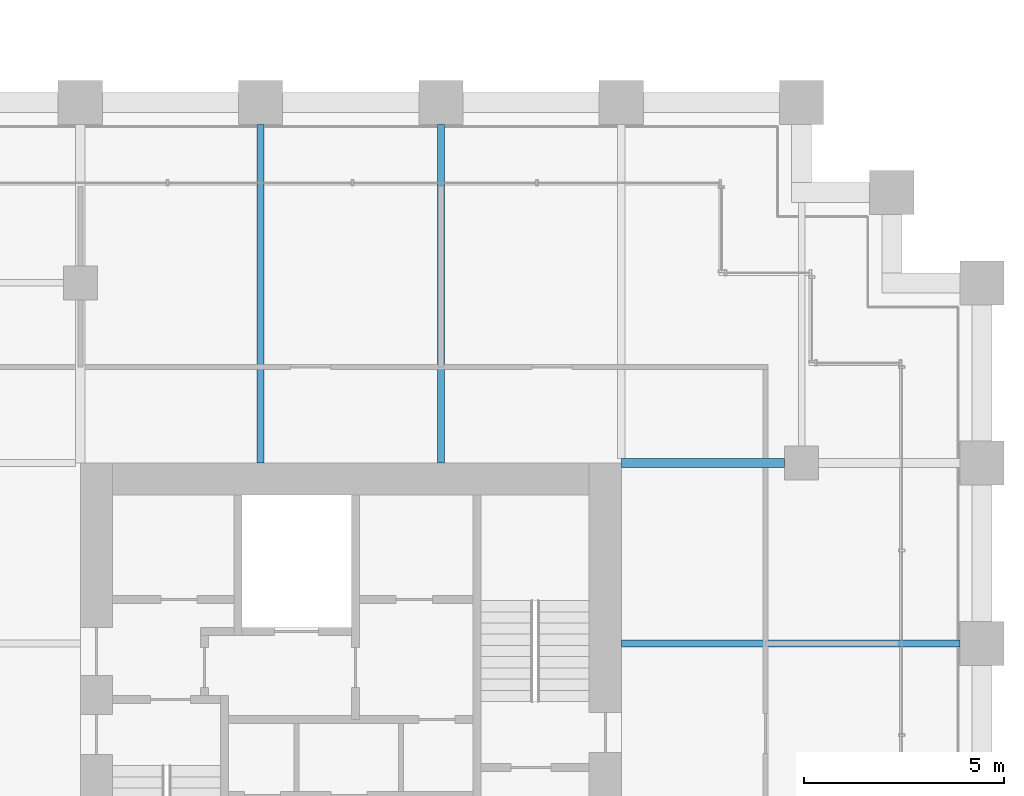
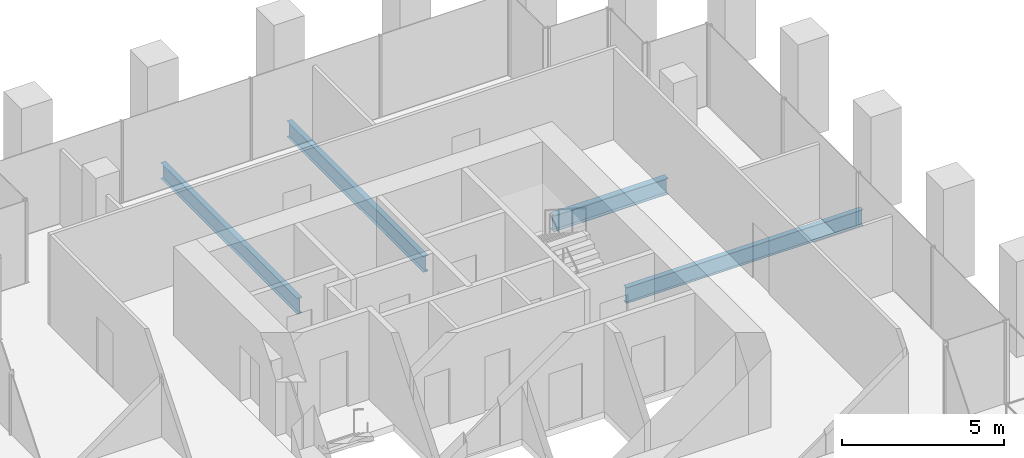
# One storey, part 43 of 56: 4 beams.
"""IFC4 building model written with IfcOpenShell, lengths in metres."""

from ifc_helpers import new_model, si_unit, direction, frame, origin, origin_2d, place, context, subcontext, project, spatial, i_section, extrude, material, material_profile, profile_set, type_object, element, save


model = new_model("IFC4")

# Units and contexts
model_context = context("Model", 3, precision=1e-05, world=origin(), true_north=direction((0.0, 1.0)))
body_context = subcontext(model_context, "Body", "Model", "MODEL_VIEW")
ifc_project = project(units=[si_unit("LENGTHUNIT", "METRE"), si_unit("AREAUNIT", "SQUARE_METRE"), si_unit("VOLUMEUNIT", "CUBIC_METRE"), si_unit("PLANEANGLEUNIT", "RADIAN"), si_unit("MASSUNIT", "GRAM", prefix="KILO")], contexts=[model_context])

# Site, building, storey
site_placement = place(None, origin())
site = spatial("IfcSite", under=ifc_project, at=site_placement, CompositionType="ELEMENT")
building_placement = place(site_placement, origin())
building = spatial("IfcBuilding", under=site, at=building_placement, Name="Altepetl Exchange Towers", CompositionType="ELEMENT")
storey_placement = place(building_placement, frame((0.0, 0.0, 76.199951171875)))
storey = spatial("IfcBuildingStorey", under=building, at=storey_placement, Name="L18", CompositionType="ELEMENT", Elevation=76.199951171875)

# Beams
ifc_material = material(Name="Steel S355", Category="steel")
ifc_material_profile_1 = material_profile(ifc_material, i_section(OverallWidth=0.177978515625, OverallDepth=0.59912109375, WebThickness=0.010009765625, FlangeThickness=0.0126953125, at=origin_2d()), Name="W24X55")
ifc_profile_set_1 = profile_set([ifc_material_profile_1], Name="Steel S355")
beam_type_1 = type_object("IfcBeamType", Name="Floor beam W24X55", PredefinedType="BEAM", material=ifc_profile_set_1)
for number, where, z_axis, x_axis, name in (
    (1, (108.0, 49.5, -0.449462890625), (0.0, 1.0, 0.0), (-1.0, 0.0, 0.0), "bm:B:L18:000"),
    (2, (112.5, 49.5, -0.449462890625), (0.0, 1.0, 0.0), (-1.0, 0.0, 0.0), "bm:B:L18:001"),
    (3, (117.0, 45.0, -0.449462890625), (1.0, 0.0, 0.0), (0.0, 1.0, 0.0), "bm:B:L18:007"),
):
    element("IfcBeam", number, at=place(storey_placement, frame(where, z_axis=z_axis, x_axis=x_axis)), inside=storey, type_object=beam_type_1, Name=name, PredefinedType="BEAM", context=body_context, shape_type="SweptSolid", body=[
        extrude(i_section(OverallWidth=0.177978515625, OverallDepth=0.59912109375, WebThickness=0.010009765625, FlangeThickness=0.0126953125, at=origin_2d()), origin(), (0.0, 0.0, 1.0), 8.449951171875),
    ])
ifc_material_profile_2 = material_profile(ifc_material, i_section(OverallWidth=0.22802734375, OverallDepth=0.60791015625, WebThickness=0.01123046875, FlangeThickness=0.017333984375, at=origin_2d()), Name="W24X76")
ifc_profile_set_2 = profile_set([ifc_material_profile_2], Name="Steel S355")
beam_type_2 = type_object("IfcBeamType", Name="Girder W24X76", PredefinedType="BEAM", material=ifc_profile_set_2)
beam_placement = place(storey_placement, frame((117.0, 49.5, -0.453857421875), z_axis=(1.0, 0.0, 0.0), x_axis=(0.0, 1.0, 0.0)))
element("IfcBeam", 4, at=beam_placement, inside=storey, type_object=beam_type_2, Name="gd:B:L18:000", PredefinedType="BEAM", context=body_context, shape_type="SweptSolid", body=[
    extrude(i_section(OverallWidth=0.22802734375, OverallDepth=0.60791015625, WebThickness=0.01123046875, FlangeThickness=0.017333984375, at=origin_2d()), origin(), (0.0, 0.0, 1.0), 4.074951171875),
])

save(model, "model.ifc")
